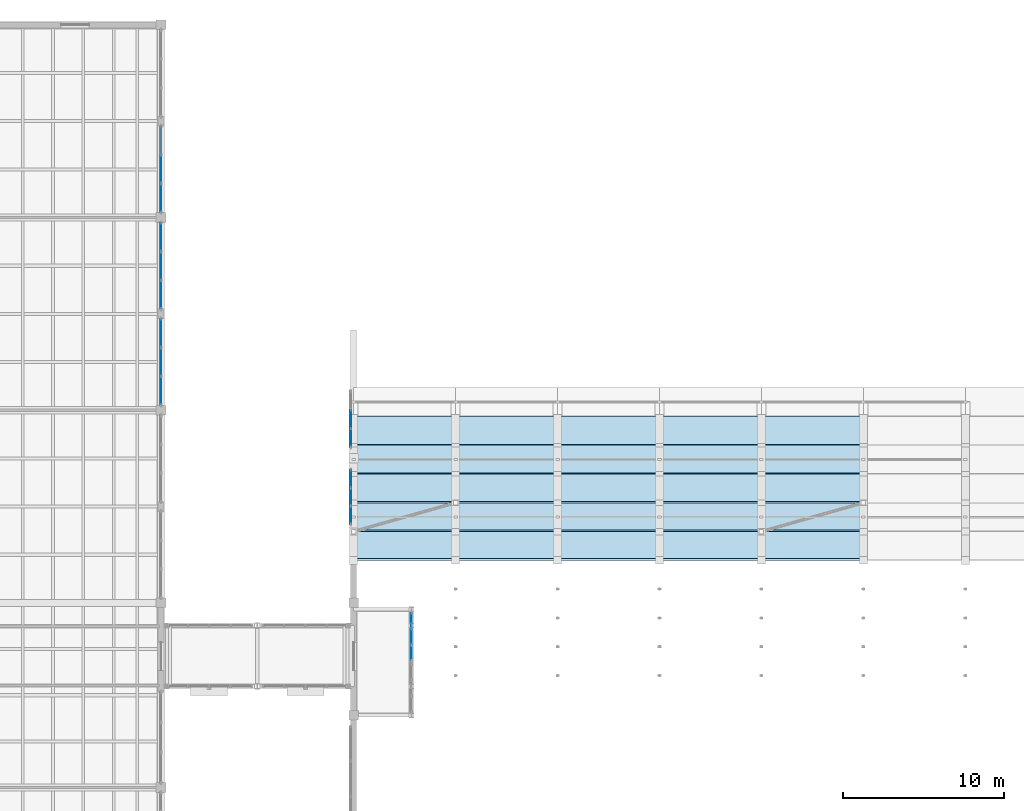
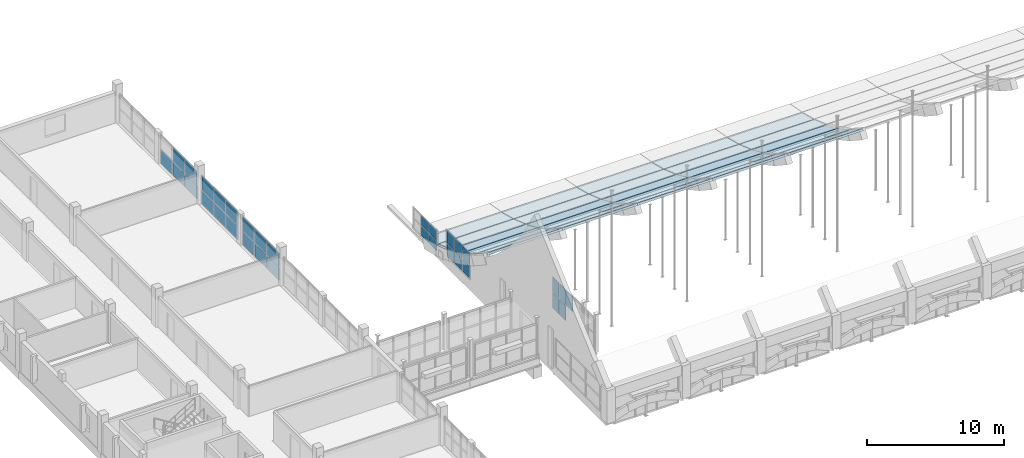
# One storey, part 49 of 77: 32 plates, 25 slabs, 6 elements without a shape of their own.
"""IFC4 building model written with IfcOpenShell, lengths in metres."""

import ifcopenshell
import ifcopenshell.guid

model = None  # the IFC model being written
_history = None  # IfcOwnerHistory: only IFC2X3 demands one
_inside = {}  # id of a spatial element -> (the spatial element, [elements in it])
_under = {}  # id of a project, library or spatial element -> (it, [spatial elements below it])
_declared = {}  # id of a project -> (the project, [libraries it declares])
_typed = {}  # id of a type object -> (the type object, [elements of that type])
_made_of = {}  # id of a material, layer set ... -> (it, [elements and type objects made of it])


def new_model(schema):
    """Start an empty IFC model of exactly this schema.

    Asked for "IFC4X3", IfcOpenShell would pick the latest addendum, in which some entities
    have other attributes; the version numbers below select the first issue.
    IFC2X3 requires an IfcOwnerHistory on every rooted entity: one is made here for all.
    """
    global model, _history
    if schema == "IFC4X3":
        model = ifcopenshell.file(schema_version=(4, 3, 0, 0))
    else:
        model = ifcopenshell.file(schema=schema)
    _inside.clear()
    _under.clear()
    _declared.clear()
    _typed.clear()
    _made_of.clear()
    _history = None
    if model.schema == "IFC2X3":
        org = make("IfcOrganization", Name="unknown")
        user = make(
            "IfcPersonAndOrganization",
            ThePerson=make("IfcPerson", FamilyName="unknown"),
            TheOrganization=org,
        )
        app = make(
            "IfcApplication",
            ApplicationDeveloper=org,
            Version="unknown",
            ApplicationFullName="unknown",
            ApplicationIdentifier="unknown",
        )
        _history = make(
            "IfcOwnerHistory",
            OwningUser=user,
            OwningApplication=app,
            ChangeAction="ADDED",
            CreationDate=0,
        )
    return model


def make(cls, **values):
    """One entity of the class cls with the attributes given. An attribute that is None is left unset."""
    return model.create_entity(
        cls, **{name: value for name, value in values.items() if value is not None}
    )


def rooted(cls, **values):
    """An entity with a GlobalId (a new one), such as an element, a storey or a relation."""
    return make(cls, GlobalId=ifcopenshell.guid.new(), OwnerHistory=_history, **values)


def si_unit(unit_type, name, prefix=None):
    """IfcSIUnit, for example si_unit("LENGTHUNIT", "METRE", prefix="MILLI")."""
    return make("IfcSIUnit", UnitType=unit_type, Prefix=prefix, Name=name)


def assignment(units):
    """IfcUnitAssignment: the units of a project."""
    return None if units is None else make("IfcUnitAssignment", Units=units)


def point(xyz):
    """IfcCartesianPoint."""
    return None if xyz is None else make("IfcCartesianPoint", Coordinates=xyz)


def direction(xyz):
    """IfcDirection."""
    return None if xyz is None else make("IfcDirection", DirectionRatios=xyz)


def frame(location, z_axis=None, x_axis=None):
    """IfcAxis2Placement3D, a coordinate frame: its origin and axes. An axis left out is left unset."""
    return make(
        "IfcAxis2Placement3D",
        Location=point(location),
        Axis=direction(z_axis),
        RefDirection=direction(x_axis),
    )


def frame_2d(location, x_axis=None):
    """IfcAxis2Placement2D, a coordinate frame in the plane: its origin and x axis."""
    return make(
        "IfcAxis2Placement2D", Location=point(location), RefDirection=direction(x_axis)
    )


def origin():
    """The frame at (0, 0, 0) with its axes left unset."""
    return frame((0.0, 0.0, 0.0))


def origin_2d():
    """The frame at (0, 0) in the plane with its x axis left unset."""
    return frame_2d((0.0, 0.0))


def place(relative_to, where):
    """IfcLocalPlacement: puts the frame where relative to a parent placement (None: the world)."""
    return make(
        "IfcLocalPlacement", PlacementRelTo=relative_to, RelativePlacement=where
    )


def context(
    kind, dimensions, precision=None, world=None, true_north=None, identifier=None
):
    """IfcGeometricRepresentationContext, for example the 3D "Model" context."""
    return make(
        "IfcGeometricRepresentationContext",
        ContextIdentifier=identifier,
        ContextType=kind,
        CoordinateSpaceDimension=dimensions,
        Precision=precision,
        WorldCoordinateSystem=world,
        TrueNorth=true_north,
    )


def subcontext(parent, identifier, kind, view, scale=None):
    """IfcGeometricRepresentationSubContext, for example "Body" below "Model"."""
    return make(
        "IfcGeometricRepresentationSubContext",
        ContextIdentifier=identifier,
        ContextType=kind,
        ParentContext=parent,
        TargetScale=scale,
        TargetView=view,
    )


def project(units=None, contexts=None):
    """IfcProject with its units and contexts."""
    return rooted(
        "IfcProject",
        Name="project",
        RepresentationContexts=contexts,
        UnitsInContext=assignment(units),
    )


def spatial(cls, under=None, at=None, **own):
    """A site, building, storey or space (cls), placed at a placement, below another one or the project."""
    s = rooted(cls, ObjectPlacement=at, **own)
    if under is not None:
        _under.setdefault(under.id(), (under, []))[1].append(s)
    return s


def polyline(points):
    """IfcPolyline through the points."""
    return make("IfcPolyline", Points=[point(p) for p in points])


def profile(cls, at=None, kind="AREA", **sizes):
    """A parametric profile (cls). Its sizes go by their IFC names, for example OverallWidth=200.0."""
    return make(cls, ProfileType=kind, Position=at, **sizes)


def rectangle(**sizes):
    """IfcRectangleProfileDef."""
    return profile("IfcRectangleProfileDef", **sizes)


def outline(outer, holes=None, kind="AREA"):
    """IfcArbitraryClosedProfileDef: a profile drawn as a closed curve; with holes, ...WithVoids."""
    if holes is None:
        return make("IfcArbitraryClosedProfileDef", ProfileType=kind, OuterCurve=outer)
    return make(
        "IfcArbitraryProfileDefWithVoids",
        ProfileType=kind,
        OuterCurve=outer,
        InnerCurves=holes,
    )


def extrude(swept, where, along, depth):
    """IfcExtrudedAreaSolid: the profile swept, set in the frame where, extruded along a direction by depth."""
    return make(
        "IfcExtrudedAreaSolid",
        SweptArea=swept,
        Position=where,
        ExtrudedDirection=direction(along),
        Depth=depth,
    )


def shape(context_of_items, identifier, shape_type, items):
    """IfcShapeRepresentation: the items that make up one representation, for example the "Body"."""
    return make(
        "IfcShapeRepresentation",
        ContextOfItems=context_of_items,
        RepresentationIdentifier=identifier,
        RepresentationType=shape_type,
        Items=items,
    )


def material(Name=None, Category=None):
    """IfcMaterial."""
    return make("IfcMaterial", Name=Name, Category=Category)


def layer(
    of_material, thickness, ventilated=None, Name=None, Category=None, Priority=None
):
    """IfcMaterialLayer: one layer of a wall or slab, of a material (None: an air gap)."""
    return make(
        "IfcMaterialLayer",
        Material=of_material,
        LayerThickness=thickness,
        IsVentilated=ventilated,
        Name=Name,
        Category=Category,
        Priority=Priority,
    )


def layer_set(layers, Name=None):
    """IfcMaterialLayerSet."""
    return make("IfcMaterialLayerSet", MaterialLayers=layers, LayerSetName=Name)


def made_of(thing, what):
    """Note that an element or type object is made of a material, layer set ...; save() writes the relation."""
    if what is not None:
        _made_of.setdefault(what.id(), (what, []))[1].append(thing)
    return thing


def type_object(cls, material=None, **own):
    """A type object (cls), such as IfcWallType, which elements share."""
    return made_of(rooted(cls, **own), material)


def element(
    cls,
    number,
    at=None,
    inside=None,
    cuts=None,
    type_object=None,
    material=None,
    context=None,
    identifier="Body",
    shape_type=None,
    held_by="IfcProductDefinitionShape",
    body=None,
    shapes=None,
    **own,
):
    """One element of the class cls, such as IfcWall. Its Tag is "e" and its number.

    at: its placement. inside: the storey or other place that contains it. cuts: it is an
    opening in that element (IfcRelVoidsElement). A single representation is given by context,
    identifier, shape_type and body (its items); several are given by shapes. held_by: the class
    of the entity that holds the representations. save() writes the other relations.
    """
    e = rooted(cls, Tag="e%d" % number, ObjectPlacement=at, **own)
    if body is not None:
        shapes = [shape(context, identifier, shape_type, body)]
    if shapes is not None:
        e.Representation = make(held_by, Representations=shapes)
    if inside is not None:
        _inside.setdefault(inside.id(), (inside, []))[1].append(e)
    if cuts is not None:
        rooted(
            "IfcRelVoidsElement", RelatingBuildingElement=cuts, RelatedOpeningElement=e
        )
    if type_object is not None:
        _typed.setdefault(type_object.id(), (type_object, []))[1].append(e)
    return made_of(e, material)


def aggregate(whole, parts):
    """IfcRelAggregates: a whole, such as a stair, and the parts it consists of."""
    return rooted("IfcRelAggregates", RelatingObject=whole, RelatedObjects=parts)


def save(model, path):
    """Write the relations noted so far, then the file.

    IfcRelAggregates (storeys below a building ...), IfcRelContainedInSpatialStructure (elements
    in a storey), IfcRelDefinesByType, IfcRelAssociatesMaterial and IfcRelDeclares: one each for
    every whole, place, type object, material and project.
    """
    for whole, parts in _under.values():
        aggregate(whole, parts)
    for where, things in _inside.values():
        rooted(
            "IfcRelContainedInSpatialStructure",
            RelatedElements=things,
            RelatingStructure=where,
        )
    for kind, things in _typed.values():
        rooted("IfcRelDefinesByType", RelatedObjects=things, RelatingType=kind)
    for what, things in _made_of.values():
        rooted("IfcRelAssociatesMaterial", RelatedObjects=things, RelatingMaterial=what)
    for by, libraries in _declared.values():
        rooted("IfcRelDeclares", RelatingContext=by, RelatedDefinitions=libraries)
    model.write(path)


model = new_model("IFC4")

# Units and contexts
model_context = context("Model", 3, precision=1e-05, world=origin(), true_north=direction((0.0, 1.0)))
body_context = subcontext(model_context, "Body", "Model", "MODEL_VIEW")
ifc_project = project(units=[si_unit("LENGTHUNIT", "METRE"), si_unit("AREAUNIT", "SQUARE_METRE"), si_unit("VOLUMEUNIT", "CUBIC_METRE"), si_unit("PLANEANGLEUNIT", "RADIAN"), si_unit("MASSUNIT", "GRAM", prefix="KILO")], contexts=[model_context])

# Site, building, storey
site_placement = place(None, origin())
site = spatial("IfcSite", under=ifc_project, at=site_placement, CompositionType="ELEMENT")
building_placement = place(site_placement, origin())
building = spatial("IfcBuilding", under=site, at=building_placement, Name="Trellovar Central Fire Station", CompositionType="ELEMENT")
storey_placement = place(building_placement, frame((0.0, 0.0, 5.85009765625)))
storey = spatial("IfcBuildingStorey", under=building, at=storey_placement, Name="L02", CompositionType="ELEMENT", Elevation=5.85009765625)

# Curtain wall, plates
ifc_material_1 = material(Name="Thermally broken bronze anodized aluminum", Category="aluminium")
ifc_layer_1 = layer(ifc_material_1, 0.159912109375)
ifc_layer_set_1 = layer_set([ifc_layer_1], Name="Thermally broken bronze anodized aluminum")
curtain_wall_type_1 = type_object("IfcCurtainWallType", Name="CW-16", PredefinedType="NOTDEFINED", material=ifc_layer_set_1)
curtain_wall_1_placement = place(storey_placement, origin())
curtain_wall_1 = element("IfcCurtainWall", 1, at=curtain_wall_1_placement, inside=storey, type_object=curtain_wall_type_1, Name="V1 W ski-jump gable clerestory 4", PredefinedType="NOTDEFINED")
ifc_material_2 = material(Name="Double low-E solar control insulated glazing", Category="glass")
ifc_layer_2 = layer(ifc_material_2, 0.031982421875)
ifc_layer_set_2 = layer_set([ifc_layer_2], Name="Double low-E solar control insulated glazing")
plate_type_1 = type_object("IfcPlateType", Name="CWP-GL1", PredefinedType="CURTAIN_PANEL", material=ifc_layer_set_2)
plate_1_placement = place(storey_placement, frame((34.820068359375, 35.60009765625, 1.76513671875), z_axis=(0.0, 0.0, 1.0), x_axis=(0.0, 1.0, 0.0)))
plate_1 = element("IfcPlate", 2, at=plate_1_placement, type_object=plate_type_1, Name="CW3-L02-0014 panel 2-2", PredefinedType="CURTAIN_PANEL", context=body_context, shape_type="SweptSolid", body=[
    extrude(rectangle(XDim=1.053466796875, YDim=0.031982421875, at=origin_2d()), origin(), (0.0, 0.0, 1.0), 1.094970703125),
])
plate_2_placement = place(storey_placement, frame((34.820068359375, 36.7333984375, 0.58984375), z_axis=(0.0, 0.0, 1.0), x_axis=(0.0, 1.0, 0.0)))
plate_2 = element("IfcPlate", 3, at=plate_2_placement, type_object=plate_type_1, Name="CW3-L02-0014 panel 3-1", PredefinedType="CURTAIN_PANEL", context=body_context, shape_type="SweptSolid", body=[
    extrude(rectangle(XDim=1.05322265625, YDim=0.031982421875, at=origin_2d()), origin(), (0.0, 0.0, 1.0), 1.094970703125),
])

ifc_material_3 = material(Name="Thermally broken bronze anodized aluminum", Category="aluminium")
ifc_layer_3 = layer(ifc_material_3, 0.159912109375)
ifc_layer_set_3 = layer_set([ifc_layer_3], Name="Thermally broken bronze anodized aluminum")
curtain_wall_type_2 = type_object("IfcCurtainWallType", Name="CW-07", PredefinedType="NOTDEFINED", material=ifc_layer_set_3)
curtain_wall_2_placement = place(storey_placement, origin())
curtain_wall_2 = element("IfcCurtainWall", 4, at=curtain_wall_2_placement, inside=storey, type_object=curtain_wall_type_2, Name="V1 W ski-jump gable clerestory 5", PredefinedType="NOTDEFINED")
plate_3_placement = place(storey_placement, frame((34.820068359375, 39.283447265625, 1.06494140625), z_axis=(0.0, 0.0, 1.0), x_axis=(0.0, 1.0, 0.0)))
plate_3 = element("IfcPlate", 5, at=plate_3_placement, type_object=plate_type_1, Name="CW3-L02-0015 panel 1-2", PredefinedType="CURTAIN_PANEL", context=body_context, shape_type="SweptSolid", body=[
    extrude(rectangle(XDim=1.086669921875, YDim=0.031982421875, at=origin_2d()), origin(), (0.0, 0.0, 1.0), 0.844970703125),
])
plate_4_placement = place(storey_placement, frame((34.820068359375, 40.449951171875, 0.14013671875), z_axis=(0.0, 0.0, 1.0), x_axis=(0.0, 1.0, 0.0)))
plate_4 = element("IfcPlate", 6, at=plate_4_placement, type_object=plate_type_1, Name="CW3-L02-0015 panel 2-1", PredefinedType="CURTAIN_PANEL", context=body_context, shape_type="SweptSolid", body=[
    extrude(rectangle(XDim=1.086669921875, YDim=0.031982421875, at=origin_2d()), origin(), (0.0, 0.0, 1.0), 0.844970703125),
])

# Curtain wall, plate
ifc_material_4 = material(Name="Thermally broken bronze anodized aluminum", Category="aluminium")
ifc_layer_4 = layer(ifc_material_4, 0.159912109375)
ifc_layer_set_4 = layer_set([ifc_layer_4], Name="Thermally broken bronze anodized aluminum")
curtain_wall_type_3 = type_object("IfcCurtainWallType", Name="CW-11", PredefinedType="NOTDEFINED", material=ifc_layer_set_4)
curtain_wall_3_placement = place(storey_placement, origin())
curtain_wall_3 = element("IfcCurtainWall", 7, at=curtain_wall_3_placement, inside=storey, type_object=curtain_wall_type_3, Name="V1 west vault gallery screen N", PredefinedType="NOTDEFINED")
plate_5_placement = place(storey_placement, frame((38.60009765625, 26.89990234375, 1.46484375), z_axis=(0.0, 0.0, 1.0), x_axis=(0.0, 1.0, 0.0)))
plate_5 = element("IfcPlate", 8, at=plate_5_placement, type_object=plate_type_1, Name="CW3-L02-0026 panel 2-2", PredefinedType="CURTAIN_PANEL", context=body_context, shape_type="SweptSolid", body=[
    extrude(rectangle(XDim=0.919921875, YDim=0.031982421875, at=origin_2d()), origin(), (0.0, 0.0, 1.0), 1.344970703125),
])

ifc_material_5 = material(Name="Thermally broken bronze anodized aluminum", Category="aluminium")
ifc_layer_5 = layer(ifc_material_5, 0.159912109375)
ifc_layer_set_5 = layer_set([ifc_layer_5], Name="Thermally broken bronze anodized aluminum")
curtain_wall_type_4 = type_object("IfcCurtainWallType", Name="CW-02", PredefinedType="NOTDEFINED", material=ifc_layer_set_5)
curtain_wall_4_placement = place(storey_placement, origin())
curtain_wall_4 = element("IfcCurtainWall", 9, at=curtain_wall_4_placement, inside=storey, type_object=curtain_wall_type_4, Name="L02 curtain wall CW-2", PredefinedType="NOTDEFINED")
plate_6_placement = place(storey_placement, frame((23.0, 45.80419921875, 1.31494140625), z_axis=(0.0, 0.0, 1.0), x_axis=(0.0, 1.0, 0.0)))
plate_6 = element("IfcPlate", 10, at=plate_6_placement, type_object=plate_type_1, Name="CW3-L02-0041 panel 3-2", PredefinedType="CURTAIN_PANEL", context=body_context, shape_type="SweptSolid", body=[
    extrude(rectangle(XDim=1.711669921875, YDim=0.031982421875, at=origin_2d()), origin(), (0.0, 0.0, 1.0), 1.195068359375),
])

curtain_wall_5_placement = place(storey_placement, origin())
curtain_wall_5 = element("IfcCurtainWall", 11, at=curtain_wall_5_placement, inside=storey, type_object=curtain_wall_type_4, Name="L02 curtain wall CW-2", PredefinedType="NOTDEFINED")
plate_7_placement = place(storey_placement, frame((23.0, 49.987548828125, 1.31494140625), z_axis=(0.0, 0.0, 1.0), x_axis=(0.0, 1.0, 0.0)))
plate_7 = element("IfcPlate", 12, at=plate_7_placement, type_object=plate_type_1, Name="CW3-L02-0042 panel 2-2", PredefinedType="CURTAIN_PANEL", context=body_context, shape_type="SweptSolid", body=[
    extrude(rectangle(XDim=1.711669921875, YDim=0.031982421875, at=origin_2d()), origin(), (0.0, 0.0, 1.0), 1.195068359375),
])

curtain_wall_6_placement = place(storey_placement, origin())
curtain_wall_6 = element("IfcCurtainWall", 13, at=curtain_wall_6_placement, inside=storey, type_object=curtain_wall_type_4, Name="L02 curtain wall CW-2", PredefinedType="NOTDEFINED")
plate_8_placement = place(storey_placement, frame((23.0, 54.220947265625, 1.31494140625), z_axis=(0.0, 0.0, 1.0), x_axis=(0.0, 1.0, 0.0)))
plate_8 = element("IfcPlate", 14, at=plate_8_placement, type_object=plate_type_1, Name="CW3-L02-0043 panel 1-2", PredefinedType="CURTAIN_PANEL", context=body_context, shape_type="SweptSolid", body=[
    extrude(rectangle(XDim=1.711669921875, YDim=0.031982421875, at=origin_2d()), origin(), (0.0, 0.0, 1.0), 1.195068359375),
])

# Plate
ifc_material_6 = material(Name="Double low-E solar control insulated glazing", Category="glass")
ifc_layer_6 = layer(ifc_material_6, 0.035888671875)
ifc_layer_set_6 = layer_set([ifc_layer_6], Name="Double low-E solar control insulated glazing")
plate_type_2 = type_object("IfcPlateType", Name="CWP-GL2", PredefinedType="CURTAIN_PANEL", material=ifc_layer_set_6)
plate_9_placement = place(storey_placement, frame((34.820068359375, 36.7333984375, 1.76513671875), z_axis=(0.0, 0.0, 1.0), x_axis=(0.0, 1.0, 0.0)))
plate_9 = element("IfcPlate", 15, at=plate_9_placement, type_object=plate_type_2, Name="CW3-L02-0014 panel 3-2", PredefinedType="CURTAIN_PANEL", context=body_context, shape_type="SweptSolid", body=[
    extrude(rectangle(XDim=1.05322265625, YDim=0.035888671875, at=origin_2d()), origin(), (0.0, 0.0, 1.0), 1.094970703125),
])

plate_10_placement = place(storey_placement, frame((34.820068359375, 40.449951171875, 1.06494140625), z_axis=(0.0, 0.0, 1.0), x_axis=(0.0, 1.0, 0.0)))
plate_10 = element("IfcPlate", 16, at=plate_10_placement, type_object=plate_type_2, Name="CW3-L02-0015 panel 2-2", PredefinedType="CURTAIN_PANEL", context=body_context, shape_type="SweptSolid", body=[
    extrude(rectangle(XDim=1.086669921875, YDim=0.035888671875, at=origin_2d()), origin(), (0.0, 0.0, 1.0), 0.844970703125),
])

plate_11_placement = place(storey_placement, frame((38.60009765625, 27.89990234375, 1.46484375), z_axis=(0.0, 0.0, 1.0), x_axis=(0.0, 1.0, 0.0)))
plate_11 = element("IfcPlate", 17, at=plate_11_placement, type_object=plate_type_2, Name="CW3-L02-0026 panel 3-2", PredefinedType="CURTAIN_PANEL", context=body_context, shape_type="SweptSolid", body=[
    extrude(rectangle(XDim=0.919921875, YDim=0.035888671875, at=origin_2d()), origin(), (0.0, 0.0, 1.0), 1.344970703125),
])

plate_12_placement = place(storey_placement, frame((23.0, 51.779052734375, 1.31494140625), z_axis=(0.0, 0.0, 1.0), x_axis=(0.0, 1.0, 0.0)))
plate_12 = element("IfcPlate", 18, at=plate_12_placement, type_object=plate_type_2, Name="CW3-L02-0042 panel 3-2", PredefinedType="CURTAIN_PANEL", context=body_context, shape_type="SweptSolid", body=[
    extrude(rectangle(XDim=1.711669921875, YDim=0.035888671875, at=origin_2d()), origin(), (0.0, 0.0, 1.0), 1.195068359375),
])

plate_13_placement = place(storey_placement, frame((23.0, 56.012451171875, 1.31494140625), z_axis=(0.0, 0.0, 1.0), x_axis=(0.0, 1.0, 0.0)))
plate_13 = element("IfcPlate", 19, at=plate_13_placement, type_object=plate_type_2, Name="CW3-L02-0043 panel 2-2", PredefinedType="CURTAIN_PANEL", context=body_context, shape_type="SweptSolid", body=[
    extrude(rectangle(XDim=1.711669921875, YDim=0.035888671875, at=origin_2d()), origin(), (0.0, 0.0, 1.0), 1.195068359375),
])

ifc_material_7 = material(Name="Double low-E solar control insulated glazing", Category="glass")
ifc_layer_7 = layer(ifc_material_7, 0.033935546875)
ifc_layer_set_7 = layer_set([ifc_layer_7], Name="Double low-E solar control insulated glazing")
plate_type_3 = type_object("IfcPlateType", Name="CWP-GL3", PredefinedType="CURTAIN_PANEL", material=ifc_layer_set_7)
plate_14_placement = place(storey_placement, frame((34.820068359375, 34.466796875, 0.58984375), z_axis=(0.0, 0.0, 1.0), x_axis=(0.0, 1.0, 0.0)))
plate_14 = element("IfcPlate", 20, at=plate_14_placement, type_object=plate_type_3, Name="CW3-L02-0014 panel 1-1", PredefinedType="CURTAIN_PANEL", context=body_context, shape_type="SweptSolid", body=[
    extrude(rectangle(XDim=1.05322265625, YDim=0.033935546875, at=origin_2d()), origin(), (0.0, 0.0, 1.0), 1.094970703125),
])

plate_15_placement = place(storey_placement, frame((23.0, 42.220947265625, 1.31494140625), z_axis=(0.0, 0.0, 1.0), x_axis=(0.0, 1.0, 0.0)))
plate_15 = element("IfcPlate", 21, at=plate_15_placement, type_object=plate_type_3, Name="CW3-L02-0041 panel 1-2", PredefinedType="CURTAIN_PANEL", context=body_context, shape_type="SweptSolid", body=[
    extrude(rectangle(XDim=1.711669921875, YDim=0.033935546875, at=origin_2d()), origin(), (0.0, 0.0, 1.0), 1.195068359375),
])

ifc_material_8 = material(Name="Double low-E solar control insulated glazing", Category="glass")
ifc_layer_8 = layer(ifc_material_8, 0.030029296875)
ifc_layer_set_8 = layer_set([ifc_layer_8], Name="Double low-E solar control insulated glazing")
plate_type_4 = type_object("IfcPlateType", Name="CWP-GL4", PredefinedType="CURTAIN_PANEL", material=ifc_layer_set_8)
plate_16_placement = place(storey_placement, frame((34.820068359375, 34.466796875, 1.76513671875), z_axis=(0.0, 0.0, 1.0), x_axis=(0.0, 1.0, 0.0)))
plate_16 = element("IfcPlate", 22, at=plate_16_placement, type_object=plate_type_4, Name="CW3-L02-0014 panel 1-2", PredefinedType="CURTAIN_PANEL", context=body_context, shape_type="SweptSolid", body=[
    extrude(rectangle(XDim=1.05322265625, YDim=0.030029296875, at=origin_2d()), origin(), (0.0, 0.0, 1.0), 1.094970703125),
])

plate_17_placement = place(storey_placement, frame((34.820068359375, 35.60009765625, 0.58984375), z_axis=(0.0, 0.0, 1.0), x_axis=(0.0, 1.0, 0.0)))
plate_17 = element("IfcPlate", 23, at=plate_17_placement, type_object=plate_type_4, Name="CW3-L02-0014 panel 2-1", PredefinedType="CURTAIN_PANEL", context=body_context, shape_type="SweptSolid", body=[
    extrude(rectangle(XDim=1.053466796875, YDim=0.030029296875, at=origin_2d()), origin(), (0.0, 0.0, 1.0), 1.094970703125),
])

aggregate(curtain_wall_1, [plate_14, plate_16, plate_17, plate_1, plate_2, plate_9])

plate_18_placement = place(storey_placement, frame((34.820068359375, 39.283447265625, 0.14013671875), z_axis=(0.0, 0.0, 1.0), x_axis=(0.0, 1.0, 0.0)))
plate_18 = element("IfcPlate", 24, at=plate_18_placement, type_object=plate_type_4, Name="CW3-L02-0015 panel 1-1", PredefinedType="CURTAIN_PANEL", context=body_context, shape_type="SweptSolid", body=[
    extrude(rectangle(XDim=1.086669921875, YDim=0.030029296875, at=origin_2d()), origin(), (0.0, 0.0, 1.0), 0.844970703125),
])

aggregate(curtain_wall_2, [plate_18, plate_3, plate_4, plate_10])

plate_19_placement = place(storey_placement, frame((38.60009765625, 25.89990234375, 1.46484375), z_axis=(0.0, 0.0, 1.0), x_axis=(0.0, 1.0, 0.0)))
plate_19 = element("IfcPlate", 25, at=plate_19_placement, type_object=plate_type_4, Name="CW3-L02-0026 panel 1-2", PredefinedType="CURTAIN_PANEL", context=body_context, shape_type="SweptSolid", body=[
    extrude(rectangle(XDim=0.919921875, YDim=0.030029296875, at=origin_2d()), origin(), (0.0, 0.0, 1.0), 1.344970703125),
])

plate_20_placement = place(storey_placement, frame((23.0, 44.012451171875, 1.31494140625), z_axis=(0.0, 0.0, 1.0), x_axis=(0.0, 1.0, 0.0)))
plate_20 = element("IfcPlate", 26, at=plate_20_placement, type_object=plate_type_4, Name="CW3-L02-0041 panel 2-2", PredefinedType="CURTAIN_PANEL", context=body_context, shape_type="SweptSolid", body=[
    extrude(rectangle(XDim=1.711669921875, YDim=0.030029296875, at=origin_2d()), origin(), (0.0, 0.0, 1.0), 1.195068359375),
])

plate_21_placement = place(storey_placement, frame((23.0, 48.19580078125, 1.31494140625), z_axis=(0.0, 0.0, 1.0), x_axis=(0.0, 1.0, 0.0)))
plate_21 = element("IfcPlate", 27, at=plate_21_placement, type_object=plate_type_4, Name="CW3-L02-0042 panel 1-2", PredefinedType="CURTAIN_PANEL", context=body_context, shape_type="SweptSolid", body=[
    extrude(rectangle(XDim=1.711669921875, YDim=0.030029296875, at=origin_2d()), origin(), (0.0, 0.0, 1.0), 1.195068359375),
])

ifc_material_9 = material(Name="Glazed ceramic trencadis and terracotta panel", Category="masonry")
ifc_layer_9 = layer(ifc_material_9, 0.048095703125)
ifc_layer_set_9 = layer_set([ifc_layer_9], Name="Glazed ceramic trencadis and terracotta panel")
plate_type_5 = type_object("IfcPlateType", Name="CWP-SP1", PredefinedType="CURTAIN_PANEL", material=ifc_layer_set_9)
plate_22_placement = place(storey_placement, frame((38.60009765625, 27.89990234375, 0.0400390625), z_axis=(0.0, 0.0, 1.0), x_axis=(0.0, 1.0, 0.0)))
plate_22 = element("IfcPlate", 28, at=plate_22_placement, type_object=plate_type_5, Name="CW3-L02-0026 panel 3-1", PredefinedType="CURTAIN_PANEL", context=body_context, shape_type="SweptSolid", body=[
    extrude(rectangle(XDim=0.919921875, YDim=0.048095703125, at=origin_2d()), origin(), (0.0, 0.0, 1.0), 1.344970703125),
])

plate_23_placement = place(storey_placement, frame((23.0, 44.012451171875, 0.0400390625), z_axis=(0.0, 0.0, 1.0), x_axis=(0.0, 1.0, 0.0)))
plate_23 = element("IfcPlate", 29, at=plate_23_placement, type_object=plate_type_5, Name="CW3-L02-0041 panel 2-1", PredefinedType="CURTAIN_PANEL", context=body_context, shape_type="SweptSolid", body=[
    extrude(rectangle(XDim=1.711669921875, YDim=0.048095703125, at=origin_2d()), origin(), (0.0, 0.0, 1.0), 1.195068359375),
])

plate_24_placement = place(storey_placement, frame((23.0, 48.19580078125, 0.0400390625), z_axis=(0.0, 0.0, 1.0), x_axis=(0.0, 1.0, 0.0)))
plate_24 = element("IfcPlate", 30, at=plate_24_placement, type_object=plate_type_5, Name="CW3-L02-0042 panel 1-1", PredefinedType="CURTAIN_PANEL", context=body_context, shape_type="SweptSolid", body=[
    extrude(rectangle(XDim=1.711669921875, YDim=0.048095703125, at=origin_2d()), origin(), (0.0, 0.0, 1.0), 1.195068359375),
])

plate_25_placement = place(storey_placement, frame((23.0, 51.779052734375, 0.0400390625), z_axis=(0.0, 0.0, 1.0), x_axis=(0.0, 1.0, 0.0)))
plate_25 = element("IfcPlate", 31, at=plate_25_placement, type_object=plate_type_5, Name="CW3-L02-0042 panel 3-1", PredefinedType="CURTAIN_PANEL", context=body_context, shape_type="SweptSolid", body=[
    extrude(rectangle(XDim=1.711669921875, YDim=0.048095703125, at=origin_2d()), origin(), (0.0, 0.0, 1.0), 1.195068359375),
])

plate_26_placement = place(storey_placement, frame((23.0, 56.012451171875, 0.0400390625), z_axis=(0.0, 0.0, 1.0), x_axis=(0.0, 1.0, 0.0)))
plate_26 = element("IfcPlate", 32, at=plate_26_placement, type_object=plate_type_5, Name="CW3-L02-0043 panel 2-1", PredefinedType="CURTAIN_PANEL", context=body_context, shape_type="SweptSolid", body=[
    extrude(rectangle(XDim=1.711669921875, YDim=0.048095703125, at=origin_2d()), origin(), (0.0, 0.0, 1.0), 1.195068359375),
])

ifc_material_10 = material(Name="Glazed ceramic trencadis and terracotta panel", Category="masonry")
ifc_layer_10 = layer(ifc_material_10, 0.044921875)
ifc_layer_set_10 = layer_set([ifc_layer_10], Name="Glazed ceramic trencadis and terracotta panel")
plate_type_6 = type_object("IfcPlateType", Name="CWP-SP2", PredefinedType="CURTAIN_PANEL", material=ifc_layer_set_10)
plate_27_placement = place(storey_placement, frame((38.60009765625, 26.89990234375, 0.0400390625), z_axis=(0.0, 0.0, 1.0), x_axis=(0.0, 1.0, 0.0)))
plate_27 = element("IfcPlate", 33, at=plate_27_placement, type_object=plate_type_6, Name="CW3-L02-0026 panel 2-1", PredefinedType="CURTAIN_PANEL", context=body_context, shape_type="SweptSolid", body=[
    extrude(rectangle(XDim=0.919921875, YDim=0.044921875, at=origin_2d()), origin(), (0.0, 0.0, 1.0), 1.344970703125),
])

aggregate(curtain_wall_3, [plate_19, plate_27, plate_5, plate_22, plate_11])

plate_28_placement = place(storey_placement, frame((23.0, 42.220947265625, 0.0400390625), z_axis=(0.0, 0.0, 1.0), x_axis=(0.0, 1.0, 0.0)))
plate_28 = element("IfcPlate", 34, at=plate_28_placement, type_object=plate_type_6, Name="CW3-L02-0041 panel 1-1", PredefinedType="CURTAIN_PANEL", context=body_context, shape_type="SweptSolid", body=[
    extrude(rectangle(XDim=1.711669921875, YDim=0.044921875, at=origin_2d()), origin(), (0.0, 0.0, 1.0), 1.195068359375),
])

plate_29_placement = place(storey_placement, frame((23.0, 45.80419921875, 0.0400390625), z_axis=(0.0, 0.0, 1.0), x_axis=(0.0, 1.0, 0.0)))
plate_29 = element("IfcPlate", 35, at=plate_29_placement, type_object=plate_type_6, Name="CW3-L02-0041 panel 3-1", PredefinedType="CURTAIN_PANEL", context=body_context, shape_type="SweptSolid", body=[
    extrude(rectangle(XDim=1.711669921875, YDim=0.044921875, at=origin_2d()), origin(), (0.0, 0.0, 1.0), 1.195068359375),
])

aggregate(curtain_wall_4, [plate_28, plate_15, plate_23, plate_20, plate_29, plate_6])

plate_30_placement = place(storey_placement, frame((23.0, 49.987548828125, 0.0400390625), z_axis=(0.0, 0.0, 1.0), x_axis=(0.0, 1.0, 0.0)))
plate_30 = element("IfcPlate", 36, at=plate_30_placement, type_object=plate_type_6, Name="CW3-L02-0042 panel 2-1", PredefinedType="CURTAIN_PANEL", context=body_context, shape_type="SweptSolid", body=[
    extrude(rectangle(XDim=1.711669921875, YDim=0.044921875, at=origin_2d()), origin(), (0.0, 0.0, 1.0), 1.195068359375),
])

aggregate(curtain_wall_5, [plate_24, plate_21, plate_30, plate_7, plate_25, plate_12])

plate_31_placement = place(storey_placement, frame((23.0, 54.220947265625, 0.0400390625), z_axis=(0.0, 0.0, 1.0), x_axis=(0.0, 1.0, 0.0)))
plate_31 = element("IfcPlate", 37, at=plate_31_placement, type_object=plate_type_6, Name="CW3-L02-0043 panel 1-1", PredefinedType="CURTAIN_PANEL", context=body_context, shape_type="SweptSolid", body=[
    extrude(rectangle(XDim=1.711669921875, YDim=0.044921875, at=origin_2d()), origin(), (0.0, 0.0, 1.0), 1.195068359375),
])

plate_32_placement = place(storey_placement, frame((23.0, 57.80419921875, 0.0400390625), z_axis=(0.0, 0.0, 1.0), x_axis=(0.0, 1.0, 0.0)))
plate_32 = element("IfcPlate", 38, at=plate_32_placement, type_object=plate_type_6, Name="CW3-L02-0043 panel 3-1", PredefinedType="CURTAIN_PANEL", context=body_context, shape_type="SweptSolid", body=[
    extrude(rectangle(XDim=1.711669921875, YDim=0.044921875, at=origin_2d()), origin(), (0.0, 0.0, 1.0), 1.195068359375),
])

aggregate(curtain_wall_6, [plate_31, plate_8, plate_26, plate_13, plate_32])

# Slabs
ifc_material_11 = material(Name="Concrete C40/50", Category="concrete")
ifc_layer_11 = layer(ifc_material_11, 0.179931640625)
ifc_layer_set_11 = layer_set([ifc_layer_11], Name="Concrete C40/50")
slab_type = type_object("IfcSlabType", Name="SLB-VLT180", PredefinedType="ROOF", material=ifc_layer_set_11)
slab_1_placement = place(storey_placement, frame((35.0, 31.754150390625, 4.123291015625), z_axis=(0.0, 0.549425882728, 0.835542458161), x_axis=(1.0, 0.0, 0.0)))
element("IfcSlab", 39, at=slab_1_placement, inside=storey, type_object=slab_type, Name="Catalan ski-jump vault strip V1-01-11", PredefinedType="ROOF", context=body_context, shape_type="SweptSolid", body=[
    extrude(outline(polyline([(0.0, 0.0), (6.35009765625, 0.0), (6.35009765625, 2.0231523496978774), (0.0, 2.0231523496978774), (0.0, 0.0)])), origin(), (0.0, 0.0, -1.0), 0.179931640625),
])
slab_2_placement = place(storey_placement, frame((35.0, 33.534423828125, 2.962890625), z_axis=(0.0, 0.476210075204, 0.879331544), x_axis=(1.0, 0.0, 0.0)))
element("IfcSlab", 40, at=slab_2_placement, inside=storey, type_object=slab_type, Name="Catalan ski-jump vault strip V1-01-12", PredefinedType="ROOF", context=body_context, shape_type="SweptSolid", body=[
    extrude(outline(polyline([(0.0, 0.0), (6.35009765625, 0.0), (6.35009765625, 1.9373958467360834), (0.0, 1.9373958467360834), (0.0, 0.0)])), origin(), (0.0, 0.0, -1.0), 0.179931640625),
])
slab_3_placement = place(storey_placement, frame((35.0, 35.314453125, 2.00634765625), z_axis=(0.0, 0.40294796215, 0.915222890775), x_axis=(1.0, 0.0, 0.0)))
element("IfcSlab", 41, at=slab_3_placement, inside=storey, type_object=slab_type, Name="Catalan ski-jump vault strip V1-01-13", PredefinedType="ROOF", context=body_context, shape_type="SweptSolid", body=[
    extrude(outline(polyline([(0.0, 0.0), (6.35009765625, 0.0), (6.35009765625, 1.8758237936397855), (0.0, 1.8758237936397855), (0.0, 0.0)])), origin(), (0.0, 0.0, -1.0), 0.179931640625),
])
slab_4_placement = place(storey_placement, frame((35.0, 37.094482421875, 1.228271484375), z_axis=(0.0, 0.329584823696, 0.944125968284), x_axis=(1.0, 0.0, 0.0)))
element("IfcSlab", 42, at=slab_4_placement, inside=storey, type_object=slab_type, Name="Catalan ski-jump vault strip V1-01-14", PredefinedType="ROOF", context=body_context, shape_type="SweptSolid", body=[
    extrude(outline(polyline([(0.0, 0.0), (6.35009765625, 0.0), (6.35009765625, 1.8326205056290652), (0.0, 1.8326205056290652), (0.0, 0.0)])), origin(), (0.0, 0.0, -1.0), 0.179931640625),
])
slab_5_placement = place(storey_placement, frame((35.0, 38.875, 0.61083984375), z_axis=(0.0, 0.256432117623, 0.96656224272), x_axis=(1.0, 0.0, 0.0)))
element("IfcSlab", 43, at=slab_5_placement, inside=storey, type_object=slab_type, Name="Catalan ski-jump vault strip V1-01-15", PredefinedType="ROOF", context=body_context, shape_type="SweptSolid", body=[
    extrude(outline(polyline([(0.0, 0.0), (6.35009765625, 0.0), (6.35009765625, 1.8032154007700383), (0.0, 1.8032154007700383), (0.0, 0.0)])), origin(), (0.0, 0.0, -1.0), 0.179931640625),
])
slab_6_placement = place(storey_placement, frame((41.35009765625, 31.754150390625, 4.123291015625), z_axis=(0.0, 0.549425882728, 0.835542458161), x_axis=(1.0, 0.0, 0.0)))
element("IfcSlab", 44, at=slab_6_placement, inside=storey, type_object=slab_type, Name="Catalan ski-jump vault strip V1-02-11", PredefinedType="ROOF", context=body_context, shape_type="SweptSolid", body=[
    extrude(outline(polyline([(0.0, 0.0), (6.349853515625, 0.0), (6.349853515625, 2.023152349697878), (0.0, 2.023152349697878), (0.0, 0.0)])), origin(), (0.0, 0.0, -1.0), 0.179931640625),
])
slab_7_placement = place(storey_placement, frame((41.35009765625, 33.534423828125, 2.962890625), z_axis=(0.0, 0.476210075204, 0.879331544), x_axis=(1.0, 0.0, 0.0)))
element("IfcSlab", 45, at=slab_7_placement, inside=storey, type_object=slab_type, Name="Catalan ski-jump vault strip V1-02-12", PredefinedType="ROOF", context=body_context, shape_type="SweptSolid", body=[
    extrude(outline(polyline([(0.0, 0.0), (6.349853515625, 0.0), (6.349853515625, 1.9373958467360834), (0.0, 1.9373958467360834), (0.0, 0.0)])), origin(), (0.0, 0.0, -1.0), 0.179931640625),
])
slab_8_placement = place(storey_placement, frame((41.35009765625, 35.314453125, 2.00634765625), z_axis=(0.0, 0.40294796215, 0.915222890775), x_axis=(1.0, 0.0, 0.0)))
element("IfcSlab", 46, at=slab_8_placement, inside=storey, type_object=slab_type, Name="Catalan ski-jump vault strip V1-02-13", PredefinedType="ROOF", context=body_context, shape_type="SweptSolid", body=[
    extrude(outline(polyline([(0.0, 0.0), (6.349853515625, 0.0), (6.349853515625, 1.8758237936397857), (0.0, 1.8758237936397857), (0.0, 0.0)])), origin(), (0.0, 0.0, -1.0), 0.179931640625),
])
slab_9_placement = place(storey_placement, frame((41.35009765625, 37.094482421875, 1.228271484375), z_axis=(0.0, 0.329584823696, 0.944125968284), x_axis=(1.0, 0.0, 0.0)))
element("IfcSlab", 47, at=slab_9_placement, inside=storey, type_object=slab_type, Name="Catalan ski-jump vault strip V1-02-14", PredefinedType="ROOF", context=body_context, shape_type="SweptSolid", body=[
    extrude(outline(polyline([(0.0, 0.0), (6.349853515625, 0.0), (6.349853515625, 1.8326205056290652), (0.0, 1.8326205056290652), (0.0, 0.0)])), origin(), (0.0, 0.0, -1.0), 0.179931640625),
])
slab_10_placement = place(storey_placement, frame((41.35009765625, 38.875, 0.61083984375), z_axis=(0.0, 0.256432117623, 0.96656224272), x_axis=(1.0, 0.0, 0.0)))
element("IfcSlab", 48, at=slab_10_placement, inside=storey, type_object=slab_type, Name="Catalan ski-jump vault strip V1-02-15", PredefinedType="ROOF", context=body_context, shape_type="SweptSolid", body=[
    extrude(outline(polyline([(0.0, 0.0), (6.349853515625, 0.0), (6.349853515625, 1.8032154007700378), (0.0, 1.8032154007700378), (0.0, 0.0)])), origin(), (0.0, 0.0, -1.0), 0.179931640625),
])
slab_11_placement = place(storey_placement, frame((47.699951171875, 31.754150390625, 4.123291015625), z_axis=(0.0, 0.549425882728, 0.835542458161), x_axis=(1.0, 0.0, 0.0)))
element("IfcSlab", 49, at=slab_11_placement, inside=storey, type_object=slab_type, Name="Catalan ski-jump vault strip V1-03-11", PredefinedType="ROOF", context=body_context, shape_type="SweptSolid", body=[
    extrude(outline(polyline([(0.0, 0.0), (6.35009765625, 0.0), (6.35009765625, 2.0231523496978774), (0.0, 2.0231523496978774), (0.0, 0.0)])), origin(), (0.0, 0.0, -1.0), 0.179931640625),
])
slab_12_placement = place(storey_placement, frame((47.699951171875, 33.534423828125, 2.962890625), z_axis=(0.0, 0.476210075204, 0.879331544), x_axis=(1.0, 0.0, 0.0)))
element("IfcSlab", 50, at=slab_12_placement, inside=storey, type_object=slab_type, Name="Catalan ski-jump vault strip V1-03-12", PredefinedType="ROOF", context=body_context, shape_type="SweptSolid", body=[
    extrude(outline(polyline([(0.0, 0.0), (6.35009765625, 0.0), (6.35009765625, 1.9373958467360834), (0.0, 1.9373958467360834), (0.0, 0.0)])), origin(), (0.0, 0.0, -1.0), 0.179931640625),
])
slab_13_placement = place(storey_placement, frame((47.699951171875, 35.314453125, 2.00634765625), z_axis=(0.0, 0.40294796215, 0.915222890775), x_axis=(1.0, 0.0, 0.0)))
element("IfcSlab", 51, at=slab_13_placement, inside=storey, type_object=slab_type, Name="Catalan ski-jump vault strip V1-03-13", PredefinedType="ROOF", context=body_context, shape_type="SweptSolid", body=[
    extrude(outline(polyline([(0.0, 0.0), (6.35009765625, 0.0), (6.35009765625, 1.8758237936397855), (0.0, 1.8758237936397855), (0.0, 0.0)])), origin(), (0.0, 0.0, -1.0), 0.179931640625),
])
slab_14_placement = place(storey_placement, frame((47.699951171875, 37.094482421875, 1.228271484375), z_axis=(0.0, 0.329584823696, 0.944125968284), x_axis=(1.0, 0.0, 0.0)))
element("IfcSlab", 52, at=slab_14_placement, inside=storey, type_object=slab_type, Name="Catalan ski-jump vault strip V1-03-14", PredefinedType="ROOF", context=body_context, shape_type="SweptSolid", body=[
    extrude(outline(polyline([(0.0, 0.0), (6.35009765625, 0.0), (6.35009765625, 1.8326205056290652), (0.0, 1.8326205056290652), (0.0, 0.0)])), origin(), (0.0, 0.0, -1.0), 0.179931640625),
])
slab_15_placement = place(storey_placement, frame((47.699951171875, 38.875, 0.61083984375), z_axis=(0.0, 0.256432117623, 0.96656224272), x_axis=(1.0, 0.0, 0.0)))
element("IfcSlab", 53, at=slab_15_placement, inside=storey, type_object=slab_type, Name="Catalan ski-jump vault strip V1-03-15", PredefinedType="ROOF", context=body_context, shape_type="SweptSolid", body=[
    extrude(outline(polyline([(0.0, 0.0), (6.35009765625, 0.0), (6.35009765625, 1.8032154007700383), (0.0, 1.8032154007700383), (0.0, 0.0)])), origin(), (0.0, 0.0, -1.0), 0.179931640625),
])
slab_16_placement = place(storey_placement, frame((54.050048828125, 31.754150390625, 4.123291015625), z_axis=(0.0, 0.549425882728, 0.835542458161), x_axis=(1.0, 0.0, 0.0)))
element("IfcSlab", 54, at=slab_16_placement, inside=storey, type_object=slab_type, Name="Catalan ski-jump vault strip V1-04-11", PredefinedType="ROOF", context=body_context, shape_type="SweptSolid", body=[
    extrude(outline(polyline([(0.0, 0.0), (6.349853515625, 0.0), (6.349853515625, 2.023152349697878), (0.0, 2.023152349697878), (0.0, 0.0)])), origin(), (0.0, 0.0, -1.0), 0.179931640625),
])
slab_17_placement = place(storey_placement, frame((54.050048828125, 33.534423828125, 2.962890625), z_axis=(0.0, 0.476210075204, 0.879331544), x_axis=(1.0, 0.0, 0.0)))
element("IfcSlab", 55, at=slab_17_placement, inside=storey, type_object=slab_type, Name="Catalan ski-jump vault strip V1-04-12", PredefinedType="ROOF", context=body_context, shape_type="SweptSolid", body=[
    extrude(outline(polyline([(0.0, 0.0), (6.349853515625, 0.0), (6.349853515625, 1.9373958467360834), (0.0, 1.9373958467360834), (0.0, 0.0)])), origin(), (0.0, 0.0, -1.0), 0.179931640625),
])
slab_18_placement = place(storey_placement, frame((54.050048828125, 35.314453125, 2.00634765625), z_axis=(0.0, 0.40294796215, 0.915222890775), x_axis=(1.0, 0.0, 0.0)))
element("IfcSlab", 56, at=slab_18_placement, inside=storey, type_object=slab_type, Name="Catalan ski-jump vault strip V1-04-13", PredefinedType="ROOF", context=body_context, shape_type="SweptSolid", body=[
    extrude(outline(polyline([(0.0, 0.0), (6.349853515625, 0.0), (6.349853515625, 1.8758237936397857), (0.0, 1.8758237936397857), (0.0, 0.0)])), origin(), (0.0, 0.0, -1.0), 0.179931640625),
])
slab_19_placement = place(storey_placement, frame((54.050048828125, 37.094482421875, 1.228271484375), z_axis=(0.0, 0.329584823696, 0.944125968284), x_axis=(1.0, 0.0, 0.0)))
element("IfcSlab", 57, at=slab_19_placement, inside=storey, type_object=slab_type, Name="Catalan ski-jump vault strip V1-04-14", PredefinedType="ROOF", context=body_context, shape_type="SweptSolid", body=[
    extrude(outline(polyline([(0.0, 0.0), (6.349853515625, 0.0), (6.349853515625, 1.8326205056290652), (0.0, 1.8326205056290652), (0.0, 0.0)])), origin(), (0.0, 0.0, -1.0), 0.179931640625),
])
slab_20_placement = place(storey_placement, frame((54.050048828125, 38.875, 0.61083984375), z_axis=(0.0, 0.256432117623, 0.96656224272), x_axis=(1.0, 0.0, 0.0)))
element("IfcSlab", 58, at=slab_20_placement, inside=storey, type_object=slab_type, Name="Catalan ski-jump vault strip V1-04-15", PredefinedType="ROOF", context=body_context, shape_type="SweptSolid", body=[
    extrude(outline(polyline([(0.0, 0.0), (6.349853515625, 0.0), (6.349853515625, 1.8032154007700378), (0.0, 1.8032154007700378), (0.0, 0.0)])), origin(), (0.0, 0.0, -1.0), 0.179931640625),
])
slab_21_placement = place(storey_placement, frame((60.39990234375, 31.754150390625, 4.123291015625), z_axis=(0.0, 0.549425882728, 0.835542458161), x_axis=(1.0, 0.0, 0.0)))
element("IfcSlab", 59, at=slab_21_placement, inside=storey, type_object=slab_type, Name="Catalan ski-jump vault strip V1-05-11", PredefinedType="ROOF", context=body_context, shape_type="SweptSolid", body=[
    extrude(outline(polyline([(0.0, 0.0), (6.35009765625, 0.0), (6.35009765625, 2.0231523496978774), (0.0, 2.0231523496978774), (0.0, 0.0)])), origin(), (0.0, 0.0, -1.0), 0.179931640625),
])
slab_22_placement = place(storey_placement, frame((60.39990234375, 33.534423828125, 2.962890625), z_axis=(0.0, 0.476210075204, 0.879331544), x_axis=(1.0, 0.0, 0.0)))
element("IfcSlab", 60, at=slab_22_placement, inside=storey, type_object=slab_type, Name="Catalan ski-jump vault strip V1-05-12", PredefinedType="ROOF", context=body_context, shape_type="SweptSolid", body=[
    extrude(outline(polyline([(0.0, 0.0), (6.35009765625, 0.0), (6.35009765625, 1.9373958467360834), (0.0, 1.9373958467360834), (0.0, 0.0)])), origin(), (0.0, 0.0, -1.0), 0.179931640625),
])
slab_23_placement = place(storey_placement, frame((60.39990234375, 35.314453125, 2.00634765625), z_axis=(0.0, 0.40294796215, 0.915222890775), x_axis=(1.0, 0.0, 0.0)))
element("IfcSlab", 61, at=slab_23_placement, inside=storey, type_object=slab_type, Name="Catalan ski-jump vault strip V1-05-13", PredefinedType="ROOF", context=body_context, shape_type="SweptSolid", body=[
    extrude(outline(polyline([(0.0, 0.0), (6.35009765625, 0.0), (6.35009765625, 1.8758237936397855), (0.0, 1.8758237936397855), (0.0, 0.0)])), origin(), (0.0, 0.0, -1.0), 0.179931640625),
])
slab_24_placement = place(storey_placement, frame((60.39990234375, 37.094482421875, 1.228271484375), z_axis=(0.0, 0.329584823696, 0.944125968284), x_axis=(1.0, 0.0, 0.0)))
element("IfcSlab", 62, at=slab_24_placement, inside=storey, type_object=slab_type, Name="Catalan ski-jump vault strip V1-05-14", PredefinedType="ROOF", context=body_context, shape_type="SweptSolid", body=[
    extrude(outline(polyline([(0.0, 0.0), (6.35009765625, 0.0), (6.35009765625, 1.8326205056290652), (0.0, 1.8326205056290652), (0.0, 0.0)])), origin(), (0.0, 0.0, -1.0), 0.179931640625),
])
slab_25_placement = place(storey_placement, frame((60.39990234375, 38.875, 0.61083984375), z_axis=(0.0, 0.256432117623, 0.96656224272), x_axis=(1.0, 0.0, 0.0)))
element("IfcSlab", 63, at=slab_25_placement, inside=storey, type_object=slab_type, Name="Catalan ski-jump vault strip V1-05-15", PredefinedType="ROOF", context=body_context, shape_type="SweptSolid", body=[
    extrude(outline(polyline([(0.0, 0.0), (6.35009765625, 0.0), (6.35009765625, 1.8032154007700383), (0.0, 1.8032154007700383), (0.0, 0.0)])), origin(), (0.0, 0.0, -1.0), 0.179931640625),
])

save(model, "model.ifc")
